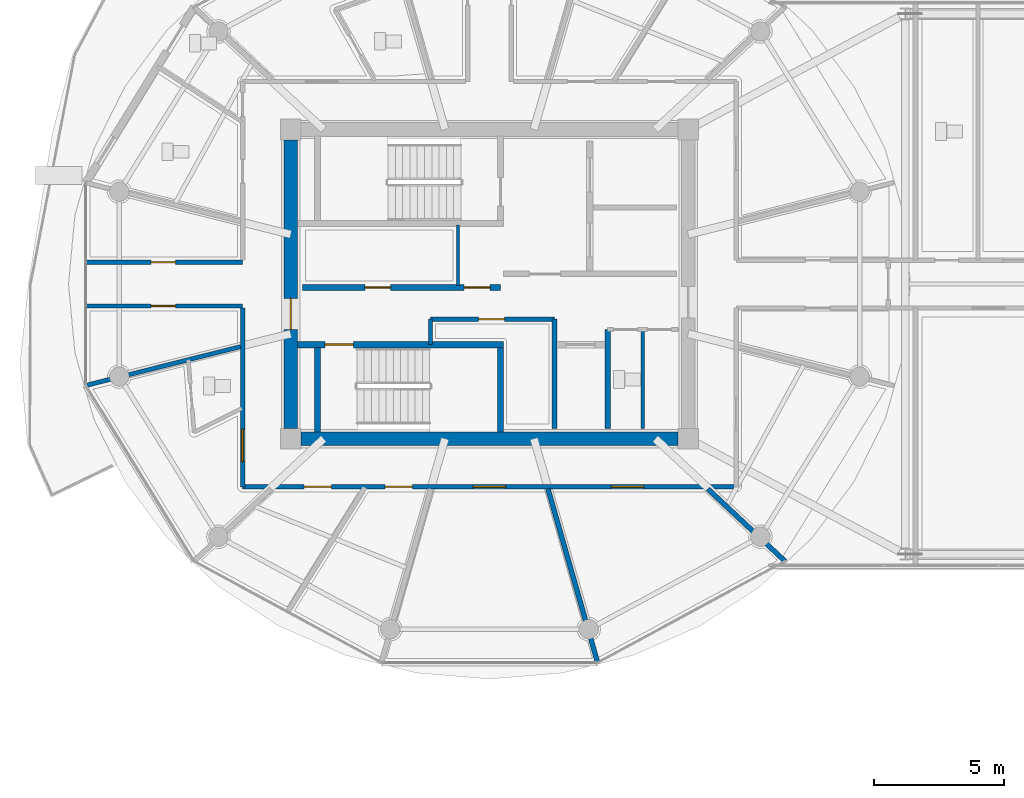
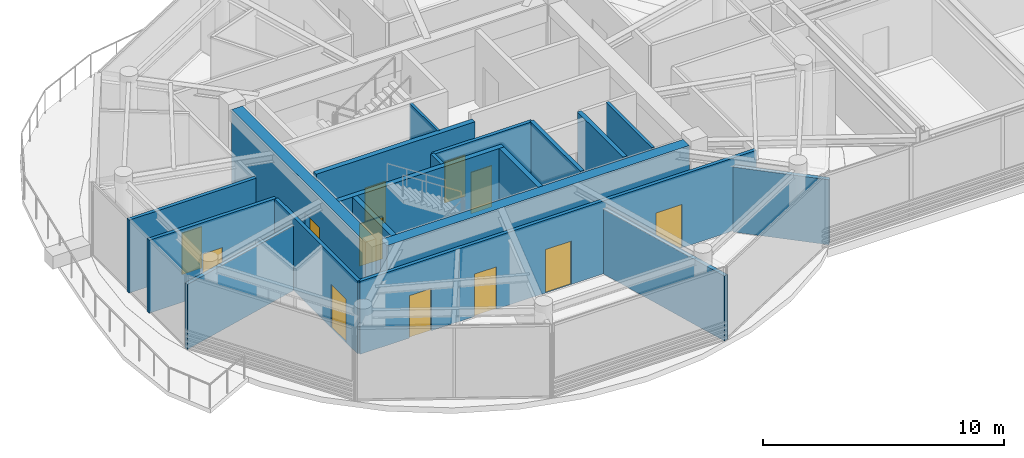
# One storey, part 14 of 31: 19 walls, 12 doors, 12 openings.
"""IFC4 building model written with IfcOpenShell, lengths in metres."""

import ifcopenshell
import ifcopenshell.guid

model = None  # the IFC model being written
_history = None  # IfcOwnerHistory: only IFC2X3 demands one
_inside = {}  # id of a spatial element -> (the spatial element, [elements in it])
_under = {}  # id of a project, library or spatial element -> (it, [spatial elements below it])
_declared = {}  # id of a project -> (the project, [libraries it declares])
_typed = {}  # id of a type object -> (the type object, [elements of that type])
_made_of = {}  # id of a material, layer set ... -> (it, [elements and type objects made of it])


def new_model(schema):
    """Start an empty IFC model of exactly this schema.

    Asked for "IFC4X3", IfcOpenShell would pick the latest addendum, in which some entities
    have other attributes; the version numbers below select the first issue.
    IFC2X3 requires an IfcOwnerHistory on every rooted entity: one is made here for all.
    """
    global model, _history
    if schema == "IFC4X3":
        model = ifcopenshell.file(schema_version=(4, 3, 0, 0))
    else:
        model = ifcopenshell.file(schema=schema)
    _inside.clear()
    _under.clear()
    _declared.clear()
    _typed.clear()
    _made_of.clear()
    _history = None
    if model.schema == "IFC2X3":
        org = make("IfcOrganization", Name="unknown")
        user = make(
            "IfcPersonAndOrganization",
            ThePerson=make("IfcPerson", FamilyName="unknown"),
            TheOrganization=org,
        )
        app = make(
            "IfcApplication",
            ApplicationDeveloper=org,
            Version="unknown",
            ApplicationFullName="unknown",
            ApplicationIdentifier="unknown",
        )
        _history = make(
            "IfcOwnerHistory",
            OwningUser=user,
            OwningApplication=app,
            ChangeAction="ADDED",
            CreationDate=0,
        )
    return model


def make(cls, **values):
    """One entity of the class cls with the attributes given. An attribute that is None is left unset."""
    return model.create_entity(
        cls, **{name: value for name, value in values.items() if value is not None}
    )


def rooted(cls, **values):
    """An entity with a GlobalId (a new one), such as an element, a storey or a relation."""
    return make(cls, GlobalId=ifcopenshell.guid.new(), OwnerHistory=_history, **values)


def si_unit(unit_type, name, prefix=None):
    """IfcSIUnit, for example si_unit("LENGTHUNIT", "METRE", prefix="MILLI")."""
    return make("IfcSIUnit", UnitType=unit_type, Prefix=prefix, Name=name)


def assignment(units):
    """IfcUnitAssignment: the units of a project."""
    return None if units is None else make("IfcUnitAssignment", Units=units)


def point(xyz):
    """IfcCartesianPoint."""
    return None if xyz is None else make("IfcCartesianPoint", Coordinates=xyz)


def direction(xyz):
    """IfcDirection."""
    return None if xyz is None else make("IfcDirection", DirectionRatios=xyz)


def frame(location, z_axis=None, x_axis=None):
    """IfcAxis2Placement3D, a coordinate frame: its origin and axes. An axis left out is left unset."""
    return make(
        "IfcAxis2Placement3D",
        Location=point(location),
        Axis=direction(z_axis),
        RefDirection=direction(x_axis),
    )


def frame_2d(location, x_axis=None):
    """IfcAxis2Placement2D, a coordinate frame in the plane: its origin and x axis."""
    return make(
        "IfcAxis2Placement2D", Location=point(location), RefDirection=direction(x_axis)
    )


def origin():
    """The frame at (0, 0, 0) with its axes left unset."""
    return frame((0.0, 0.0, 0.0))


def place(relative_to, where):
    """IfcLocalPlacement: puts the frame where relative to a parent placement (None: the world)."""
    return make(
        "IfcLocalPlacement", PlacementRelTo=relative_to, RelativePlacement=where
    )


def context(
    kind, dimensions, precision=None, world=None, true_north=None, identifier=None
):
    """IfcGeometricRepresentationContext, for example the 3D "Model" context."""
    return make(
        "IfcGeometricRepresentationContext",
        ContextIdentifier=identifier,
        ContextType=kind,
        CoordinateSpaceDimension=dimensions,
        Precision=precision,
        WorldCoordinateSystem=world,
        TrueNorth=true_north,
    )


def subcontext(parent, identifier, kind, view, scale=None):
    """IfcGeometricRepresentationSubContext, for example "Body" below "Model"."""
    return make(
        "IfcGeometricRepresentationSubContext",
        ContextIdentifier=identifier,
        ContextType=kind,
        ParentContext=parent,
        TargetScale=scale,
        TargetView=view,
    )


def project(units=None, contexts=None):
    """IfcProject with its units and contexts."""
    return rooted(
        "IfcProject",
        Name="project",
        RepresentationContexts=contexts,
        UnitsInContext=assignment(units),
    )


def spatial(cls, under=None, at=None, **own):
    """A site, building, storey or space (cls), placed at a placement, below another one or the project."""
    s = rooted(cls, ObjectPlacement=at, **own)
    if under is not None:
        _under.setdefault(under.id(), (under, []))[1].append(s)
    return s


def profile(cls, at=None, kind="AREA", **sizes):
    """A parametric profile (cls). Its sizes go by their IFC names, for example OverallWidth=200.0."""
    return make(cls, ProfileType=kind, Position=at, **sizes)


def rectangle(**sizes):
    """IfcRectangleProfileDef."""
    return profile("IfcRectangleProfileDef", **sizes)


def extrude(swept, where, along, depth):
    """IfcExtrudedAreaSolid: the profile swept, set in the frame where, extruded along a direction by depth."""
    return make(
        "IfcExtrudedAreaSolid",
        SweptArea=swept,
        Position=where,
        ExtrudedDirection=direction(along),
        Depth=depth,
    )


def shape(context_of_items, identifier, shape_type, items):
    """IfcShapeRepresentation: the items that make up one representation, for example the "Body"."""
    return make(
        "IfcShapeRepresentation",
        ContextOfItems=context_of_items,
        RepresentationIdentifier=identifier,
        RepresentationType=shape_type,
        Items=items,
    )


def source(mapping_origin, context_of_items, identifier, shape_type, items):
    """IfcRepresentationMap: a shape defined once, which mapped items show again and again."""
    return make(
        "IfcRepresentationMap",
        MappingOrigin=mapping_origin,
        MappedRepresentation=shape(context_of_items, identifier, shape_type, items),
    )


def transform(
    local_origin,
    x_axis=None,
    y_axis=None,
    z_axis=None,
    scale=None,
    scale2=None,
    scale3=None,
    uniform=True,
):
    """IfcCartesianTransformationOperator3D, or its non-uniform kind. x_axis, y_axis, z_axis: its Axis1, 2, 3."""
    if uniform:
        return make(
            "IfcCartesianTransformationOperator3D",
            Axis1=direction(x_axis),
            Axis2=direction(y_axis),
            LocalOrigin=point(local_origin),
            Scale=scale,
            Axis3=direction(z_axis),
        )
    return make(
        "IfcCartesianTransformationOperator3DnonUniform",
        Axis1=direction(x_axis),
        Axis2=direction(y_axis),
        LocalOrigin=point(local_origin),
        Scale=scale,
        Axis3=direction(z_axis),
        Scale2=scale2,
        Scale3=scale3,
    )


def mapped(mapping_source, mapping_target):
    """IfcMappedItem: shows the shape of a source again, moved by a transform."""
    return make(
        "IfcMappedItem", MappingSource=mapping_source, MappingTarget=mapping_target
    )


def material(Name=None, Category=None):
    """IfcMaterial."""
    return make("IfcMaterial", Name=Name, Category=Category)


def layer(
    of_material, thickness, ventilated=None, Name=None, Category=None, Priority=None
):
    """IfcMaterialLayer: one layer of a wall or slab, of a material (None: an air gap)."""
    return make(
        "IfcMaterialLayer",
        Material=of_material,
        LayerThickness=thickness,
        IsVentilated=ventilated,
        Name=Name,
        Category=Category,
        Priority=Priority,
    )


def layer_set(layers, Name=None):
    """IfcMaterialLayerSet."""
    return make("IfcMaterialLayerSet", MaterialLayers=layers, LayerSetName=Name)


def made_of(thing, what):
    """Note that an element or type object is made of a material, layer set ...; save() writes the relation."""
    if what is not None:
        _made_of.setdefault(what.id(), (what, []))[1].append(thing)
    return thing


def type_object(cls, material=None, **own):
    """A type object (cls), such as IfcWallType, which elements share."""
    return made_of(rooted(cls, **own), material)


def type_shapes(of_type, sources):
    """Give a type object the sources (RepresentationMaps) that its elements show as mapped items."""
    of_type.RepresentationMaps = sources


def element(
    cls,
    number,
    at=None,
    inside=None,
    cuts=None,
    type_object=None,
    material=None,
    context=None,
    identifier="Body",
    shape_type=None,
    held_by="IfcProductDefinitionShape",
    body=None,
    shapes=None,
    **own,
):
    """One element of the class cls, such as IfcWall. Its Tag is "e" and its number.

    at: its placement. inside: the storey or other place that contains it. cuts: it is an
    opening in that element (IfcRelVoidsElement). A single representation is given by context,
    identifier, shape_type and body (its items); several are given by shapes. held_by: the class
    of the entity that holds the representations. save() writes the other relations.
    """
    e = rooted(cls, Tag="e%d" % number, ObjectPlacement=at, **own)
    if body is not None:
        shapes = [shape(context, identifier, shape_type, body)]
    if shapes is not None:
        e.Representation = make(held_by, Representations=shapes)
    if inside is not None:
        _inside.setdefault(inside.id(), (inside, []))[1].append(e)
    if cuts is not None:
        rooted(
            "IfcRelVoidsElement", RelatingBuildingElement=cuts, RelatedOpeningElement=e
        )
    if type_object is not None:
        _typed.setdefault(type_object.id(), (type_object, []))[1].append(e)
    return made_of(e, material)


def fill(opening, filler):
    """IfcRelFillsElement: the door or window that sits in an opening."""
    return rooted(
        "IfcRelFillsElement",
        RelatingOpeningElement=opening,
        RelatedBuildingElement=filler,
    )


def aggregate(whole, parts):
    """IfcRelAggregates: a whole, such as a stair, and the parts it consists of."""
    return rooted("IfcRelAggregates", RelatingObject=whole, RelatedObjects=parts)


def save(model, path):
    """Write the relations noted so far, then the file.

    IfcRelAggregates (storeys below a building ...), IfcRelContainedInSpatialStructure (elements
    in a storey), IfcRelDefinesByType, IfcRelAssociatesMaterial and IfcRelDeclares: one each for
    every whole, place, type object, material and project.
    """
    for whole, parts in _under.values():
        aggregate(whole, parts)
    for where, things in _inside.values():
        rooted(
            "IfcRelContainedInSpatialStructure",
            RelatedElements=things,
            RelatingStructure=where,
        )
    for kind, things in _typed.values():
        rooted("IfcRelDefinesByType", RelatedObjects=things, RelatingType=kind)
    for what, things in _made_of.values():
        rooted("IfcRelAssociatesMaterial", RelatedObjects=things, RelatingMaterial=what)
    for by, libraries in _declared.values():
        rooted("IfcRelDeclares", RelatingContext=by, RelatedDefinitions=libraries)
    model.write(path)


model = new_model("IFC4")

# Units and contexts
model_context = context("Model", 3, precision=1e-05, world=origin(), true_north=direction((0.0, 1.0)))
body_context = subcontext(model_context, "Body", "Model", "MODEL_VIEW")
ifc_project = project(units=[si_unit("LENGTHUNIT", "METRE"), si_unit("AREAUNIT", "SQUARE_METRE"), si_unit("VOLUMEUNIT", "CUBIC_METRE"), si_unit("PLANEANGLEUNIT", "RADIAN"), si_unit("MASSUNIT", "GRAM", prefix="KILO")], contexts=[model_context])

# Site, building, storey
site_placement = place(None, origin())
site = spatial("IfcSite", under=ifc_project, at=site_placement, CompositionType="ELEMENT")
building_placement = place(site_placement, origin())
building = spatial("IfcBuilding", under=site, at=building_placement, Name="Norrkilde Senior Care Towers", CompositionType="ELEMENT")
storey_placement = place(building_placement, frame((0.0, 0.0, 199.800048828125)))
storey = spatial("IfcBuildingStorey", under=building, at=storey_placement, Name="L62", CompositionType="ELEMENT", Elevation=199.800048828125)

# Wall
ifc_material_1 = material(Name="Concrete C50/60", Category="concrete")
ifc_layer_1 = layer(ifc_material_1, 0.52001953125)
ifc_layer_set_1 = layer_set([ifc_layer_1], Name="Concrete C50/60")
wall_type_1 = type_object("IfcWallType", Name="Core Shear Wall Z4 520", PredefinedType="SHEAR", material=ifc_layer_set_1)
shared_shape_1 = source(origin(), body_context, "Body", "SweptSolid", [
    extrude(rectangle(XDim=14.5, YDim=0.52001953125, at=frame_2d((7.25, 0.0))), origin(), (0.0, 0.0, 1.0), 3.7099609375),
])
wall_1_placement = place(storey_placement, frame((-20.75, -5.949951171875, 0.0), z_axis=(0.0, 0.0, 1.0), x_axis=(-1.0, 0.0, 0.0)))
element("IfcWall", 1, at=wall_1_placement, inside=storey, type_object=wall_type_1, Name="L62 Core W South Shear Wall", PredefinedType="SHEAR", context=body_context, shape_type="MappedRepresentation", body=[
    mapped(shared_shape_1, transform((0.0, 0.0, 0.0), x_axis=(1.0, 0.0, 0.0), y_axis=(0.0, 1.0, 0.0), z_axis=(0.0, 0.0, 1.0), scale=1.0)),
])

# Wall, opening, door
shared_shape_2 = source(origin(), body_context, "Body", "SweptSolid", [
    extrude(rectangle(XDim=11.10009765625, YDim=0.52001953125, at=frame_2d((5.550048828125, 0.0))), origin(), (0.0, 0.0, 1.0), 3.7099609375),
])
type_shapes(wall_type_1, [shared_shape_1, shared_shape_2])
wall_2_placement = place(storey_placement, frame((-35.64990234375, -5.550048828125, 0.0), z_axis=(0.0, 0.0, 1.0), x_axis=(0.0, 1.0, 0.0)))
wall_2 = element("IfcWall", 2, at=wall_2_placement, inside=storey, type_object=wall_type_1, Name="L62 Core W West Shear Wall", PredefinedType="SHEAR", context=body_context, shape_type="MappedRepresentation", body=[
    mapped(shared_shape_2, transform((0.0, 0.0, 0.0), x_axis=(1.0, 0.0, 0.0), y_axis=(0.0, 1.0, 0.0), z_axis=(0.0, 0.0, 1.0), scale=1.0)),
])
opening_1_placement = place(wall_2_placement, frame((3.800048828125, 0.0, 0.0)))
opening_1 = element("IfcOpeningElement", 3, at=opening_1_placement, cuts=wall_2, Name="Opening D-04", PredefinedType="OPENING", context=body_context, shape_type="SweptSolid", body=[
    extrude(rectangle(XDim=1.199951171875, YDim=2.14990234375, at=frame_2d((0.60009765625, 1.074951171875))), frame((0.0, 0.27001953125, 0.0), z_axis=(0.0, -1.0, 0.0), x_axis=(1.0, 0.0, 0.0)), (0.0, 0.0, 1.0), 0.5400390625),
])
ifc_material_2 = material(Name="Galvanised Painted Steel", Category="steel")
door_type_1 = type_object("IfcDoorType", Name="Firefighting Lobby Fire Door 1200x2150", OperationType="NOTDEFINED", PredefinedType="DOOR", material=ifc_material_2)
shared_shape_3 = source(origin(), body_context, "Body", "SweptSolid", [
    extrude(rectangle(XDim=1.199951171875, YDim=2.14990234375, at=frame_2d((0.60009765625, 1.074951171875))), frame((0.0, 0.02490234375, 0.0), z_axis=(0.0, -1.0, 0.0), x_axis=(1.0, 0.0, 0.0)), (0.0, 0.0, 1.0), 0.050048828125),
])
type_shapes(door_type_1, [shared_shape_3])
door_1_placement = place(opening_1_placement, frame((1.199951171875, 0.0, 0.0), z_axis=(0.0, 0.0, 1.0), x_axis=(-1.0, 0.0, 0.0)))
door_1 = element("IfcDoor", 4, at=door_1_placement, inside=storey, type_object=door_type_1, Name="L62 Core W West Portal Door", OperationType="SINGLE_SWING_LEFT", OverallHeight=2.14990234375, OverallWidth=1.199951171875, PredefinedType="DOOR", context=body_context, shape_type="MappedRepresentation", body=[
    mapped(shared_shape_3, transform((0.0, 0.0, 0.0), x_axis=(1.0, 0.0, 0.0), y_axis=(0.0, 1.0, 0.0), z_axis=(0.0, 0.0, 1.0), scale=1.0)),
])
fill(opening_1, door_1)

ifc_material_3 = material(Name="Concrete C45/55", Category="concrete")
ifc_layer_2 = layer(ifc_material_3, 0.239990234375)
ifc_layer_set_2 = layer_set([ifc_layer_2], Name="Concrete C45/55")
wall_type_2 = type_object("IfcWallType", Name="Shaft and Stair Enclosure Wall 240", PredefinedType="PARTITIONING", material=ifc_layer_set_2)
shared_shape_4 = source(origin(), body_context, "Body", "SweptSolid", [
    extrude(rectangle(XDim=7.929931640625, YDim=0.239990234375, at=frame_2d((3.96484375, 0.0))), origin(), (0.0, 0.0, 1.0), 3.7099609375),
])
wall_3_placement = place(storey_placement, frame((-35.389892578125, -2.330078125, 0.0), z_axis=(0.0, 0.0, 1.0), x_axis=(1.0, 0.0, 0.0)))
wall_3 = element("IfcWall", 5, at=wall_3_placement, inside=storey, type_object=wall_type_2, Name="WL-INT-L62-W-ST2N", PredefinedType="PARTITIONING", context=body_context, shape_type="MappedRepresentation", body=[
    mapped(shared_shape_4, transform((0.0, 0.0, 0.0), x_axis=(1.0, 0.0, 0.0), y_axis=(0.0, 1.0, 0.0), z_axis=(0.0, 0.0, 1.0), scale=1.0)),
])
opening_2_placement = place(wall_3_placement, frame((1.050048828125, 0.0, 0.0)))
opening_2 = element("IfcOpeningElement", 6, at=opening_2_placement, cuts=wall_3, Name="Opening D-03", PredefinedType="OPENING", context=body_context, shape_type="SweptSolid", body=[
    extrude(rectangle(XDim=1.10009765625, YDim=2.14990234375, at=frame_2d((0.550048828125, 1.074951171875))), frame((0.0, 0.1298828125, 0.0), z_axis=(0.0, -1.0, 0.0), x_axis=(1.0, 0.0, 0.0)), (0.0, 0.0, 1.0), 0.260009765625),
])
door_type_2 = type_object("IfcDoorType", Name="Stairwell Protected Fire Door 1100x2150", OperationType="NOTDEFINED", PredefinedType="DOOR", material=ifc_material_2)
shared_shape_5 = source(origin(), body_context, "Body", "SweptSolid", [
    extrude(rectangle(XDim=1.10009765625, YDim=2.14990234375, at=frame_2d((0.550048828125, 1.074951171875))), frame((0.0, 0.02490234375, 0.0), z_axis=(0.0, -1.0, 0.0), x_axis=(1.0, 0.0, 0.0)), (0.0, 0.0, 1.0), 0.050048828125),
])
type_shapes(door_type_2, [shared_shape_5])
door_2_placement = place(opening_2_placement, frame((1.10009765625, 0.0, 0.0), z_axis=(0.0, 0.0, 1.0), x_axis=(-1.0, 0.0, 0.0)))
door_2 = element("IfcDoor", 7, at=door_2_placement, inside=storey, type_object=door_type_2, Name="L62 Stair W2 Fire Door", OperationType="SINGLE_SWING_RIGHT", OverallHeight=2.14990234375, OverallWidth=1.10009765625, PredefinedType="DOOR", context=body_context, shape_type="MappedRepresentation", body=[
    mapped(shared_shape_5, transform((0.0, 0.0, 0.0), x_axis=(1.0, 0.0, 0.0), y_axis=(0.0, 1.0, 0.0), z_axis=(0.0, 0.0, 1.0), scale=1.0)),
])
fill(opening_2, door_2)

# Walls
shared_shape_6 = source(origin(), body_context, "Body", "SweptSolid", [
    extrude(rectangle(XDim=3.239990234375, YDim=0.239990234375, at=frame_2d((1.6201171875, 0.0))), origin(), (0.0, 0.0, 1.0), 3.7099609375),
])
type_shapes(wall_type_2, [shared_shape_4, shared_shape_6])
for number, where, z_axis, x_axis, name in (
    (8, (-34.6201171875, -5.68994140625, 0.0), (0.0, 0.0, 1.0), (0.0, 1.0, 0.0), "WL-INT-L62-W-ST2W"),
    (9, (-27.580078125, -5.68994140625, 0.0), (0.0, 0.0, 1.0), (0.0, 1.0, 0.0), "WL-INT-L62-W-ST2E"),
):
    element("IfcWall", number, at=place(storey_placement, frame(where, z_axis=z_axis, x_axis=x_axis)), inside=storey, type_object=wall_type_2, Name=name, PredefinedType="PARTITIONING", context=body_context, shape_type="MappedRepresentation", body=[
        mapped(shared_shape_6, transform((0.0, 0.0, 0.0), x_axis=(1.0, 0.0, 0.0), y_axis=(0.0, 1.0, 0.0), z_axis=(0.0, 0.0, 1.0), scale=1.0)),
    ])

# Wall, openings, doors
ifc_layer_3 = layer(ifc_material_3, 0.239990234375)
ifc_layer_set_3 = layer_set([ifc_layer_3], Name="Concrete C45/55")
wall_type_3 = type_object("IfcWallType", Name="Lift and Plant Rated Enclosure Partition 240", PredefinedType="PARTITIONING", material=ifc_layer_set_3)
shared_shape_7 = source(origin(), body_context, "Body", "SweptSolid", [
    extrude(rectangle(XDim=7.619873046875, YDim=0.239990234375, at=frame_2d((3.81005859375, 0.0))), origin(), (0.0, 0.0, 1.0), 3.695068359375),
])
type_shapes(wall_type_3, [shared_shape_7])
wall_4_placement = place(storey_placement, frame((-35.199951171875, -0.1298828125, 0.0), z_axis=(0.0, 0.0, 1.0), x_axis=(1.0, 0.0, 0.0)))
wall_4 = element("IfcWall", 10, at=wall_4_placement, inside=storey, type_object=wall_type_3, Name="WL-INT-L62-W-PKAS", PredefinedType="PARTITIONING", context=body_context, shape_type="MappedRepresentation", body=[
    mapped(shared_shape_7, transform((0.0, 0.0, 0.0), x_axis=(1.0, 0.0, 0.0), y_axis=(0.0, 1.0, 0.0), z_axis=(0.0, 0.0, 1.0), scale=1.0)),
])
opening_3_placement = place(wall_4_placement, frame((6.219970703125, 0.0, 0.0)))
opening_3 = element("IfcOpeningElement", 11, at=opening_3_placement, cuts=wall_4, Name="Opening D-10", PredefinedType="OPENING", context=body_context, shape_type="SweptSolid", body=[
    extrude(rectangle(XDim=1.0, YDim=2.10009765625, at=frame_2d((0.5, 1.050048828125))), frame((0.0, 0.1298828125, 0.0), z_axis=(0.0, -1.0, 0.0), x_axis=(1.0, 0.0, 0.0)), (0.0, 0.0, 1.0), 0.260009765625),
])
opening_4_placement = place(wall_4_placement, frame((2.39990234375, 0.0, 0.0)))
opening_4 = element("IfcOpeningElement", 12, at=opening_4_placement, cuts=wall_4, Name="Opening D-10", PredefinedType="OPENING", context=body_context, shape_type="SweptSolid", body=[
    extrude(rectangle(XDim=1.0, YDim=2.10009765625, at=frame_2d((0.5, 1.050048828125))), frame((0.0, 0.1298828125, 0.0), z_axis=(0.0, -1.0, 0.0), x_axis=(1.0, 0.0, 0.0)), (0.0, 0.0, 1.0), 0.260009765625),
])
door_type_3 = type_object("IfcDoorType", Name="Plant and Riser Rated Door 1000x2100", OperationType="NOTDEFINED", PredefinedType="DOOR", material=ifc_material_2)
shared_shape_8 = source(origin(), body_context, "Body", "SweptSolid", [
    extrude(rectangle(XDim=1.0, YDim=2.10009765625, at=frame_2d((0.5, 1.050048828125))), frame((0.0, 0.02490234375, 0.0), z_axis=(0.0, -1.0, 0.0), x_axis=(1.0, 0.0, 0.0)), (0.0, 0.0, 1.0), 0.050048828125),
])
type_shapes(door_type_3, [shared_shape_8])
door_3_placement = place(opening_3_placement, frame((1.0, 0.0, 0.0), z_axis=(0.0, 0.0, 1.0), x_axis=(-1.0, 0.0, 0.0)))
door_3 = element("IfcDoor", 13, at=door_3_placement, inside=storey, type_object=door_type_3, Name="L62 Electrical Riser W Door", OperationType="SINGLE_SWING_LEFT", OverallHeight=2.10009765625, OverallWidth=1.0, PredefinedType="DOOR", context=body_context, shape_type="MappedRepresentation", body=[
    mapped(shared_shape_8, transform((0.0, 0.0, 0.0), x_axis=(1.0, 0.0, 0.0), y_axis=(0.0, 1.0, 0.0), z_axis=(0.0, 0.0, 1.0), scale=1.0)),
])
fill(opening_3, door_3)
door_4_placement = place(opening_4_placement, frame((1.0, 0.0, 0.0), z_axis=(0.0, 0.0, 1.0), x_axis=(-1.0, 0.0, 0.0)))
door_4 = element("IfcDoor", 14, at=door_4_placement, inside=storey, type_object=door_type_3, Name="L62 Clean Supply Store W Door", OperationType="SINGLE_SWING_LEFT", OverallHeight=2.10009765625, OverallWidth=1.0, PredefinedType="DOOR", context=body_context, shape_type="MappedRepresentation", body=[
    mapped(shared_shape_8, transform((0.0, 0.0, 0.0), x_axis=(1.0, 0.0, 0.0), y_axis=(0.0, 1.0, 0.0), z_axis=(0.0, 0.0, 1.0), scale=1.0)),
])
fill(opening_4, door_4)

# Walls
ifc_material_4 = material(Name="Gypsum Acoustic Board")
ifc_layer_4 = layer(ifc_material_4, 0.114990234375)
ifc_layer_set_4 = layer_set([ifc_layer_4], Name="Gypsum Acoustic Board")
wall_type_4 = type_object("IfcWallType", Name="Internal Room Partition 115", PredefinedType="PARTITIONING", material=ifc_layer_set_4)
shared_shape_9 = source(origin(), body_context, "Body", "SweptSolid", [
    extrude(rectangle(XDim=2.330078125, YDim=0.114990234375, at=frame_2d((1.1650390625, 0.0))), origin(), (0.0, 0.0, 1.0), 3.695068359375),
])
type_shapes(wall_type_4, [shared_shape_9])
wall_5_placement = place(storey_placement, frame((-29.2099609375, -0.050048828125, 0.0), z_axis=(0.0, 0.0, 1.0), x_axis=(0.0, 1.0, 0.0)))
element("IfcWall", 15, at=wall_5_placement, inside=storey, type_object=wall_type_4, Name="WL-INT-L62-W-RISW", PredefinedType="PARTITIONING", context=body_context, shape_type="MappedRepresentation", body=[
    mapped(shared_shape_9, transform((0.0, 0.0, 0.0), x_axis=(1.0, 0.0, 0.0), y_axis=(0.0, 1.0, 0.0), z_axis=(0.0, 0.0, 1.0), scale=1.0)),
])
ifc_layer_5 = layer(ifc_material_3, 0.199951171875)
ifc_layer_set_5 = layer_set([ifc_layer_5], Name="Concrete C45/55")
wall_type_5 = type_object("IfcWallType", Name="Shaft Division and Plant Partition 200", PredefinedType="PARTITIONING", material=ifc_layer_set_5)
shared_shape_10 = source(origin(), body_context, "Body", "SweptSolid", [
    extrude(rectangle(XDim=3.800048828125, YDim=0.199951171875, at=frame_2d((1.89990234375, 0.0))), origin(), (0.0, 0.0, 1.0), 3.695068359375),
])
type_shapes(wall_type_5, [shared_shape_10])
wall_6_placement = place(storey_placement, frame((-23.449951171875, -5.550048828125, 0.0), z_axis=(0.0, 0.0, 1.0), x_axis=(0.0, 1.0, 0.0)))
element("IfcWall", 16, at=wall_6_placement, inside=storey, type_object=wall_type_5, Name="WL-INT-L62-W-PKBE", PredefinedType="PARTITIONING", context=body_context, shape_type="MappedRepresentation", body=[
    mapped(shared_shape_10, transform((0.0, 0.0, 0.0), x_axis=(1.0, 0.0, 0.0), y_axis=(0.0, 1.0, 0.0), z_axis=(0.0, 0.0, 1.0), scale=1.0)),
])
ifc_layer_6 = layer(ifc_material_3, 0.179931640625)
ifc_layer_set_6 = layer_set([ifc_layer_6], Name="Concrete C45/55")
wall_type_6 = type_object("IfcWallType", Name="Hoistway Division Rated Partition 180", PredefinedType="PARTITIONING", material=ifc_layer_set_6)
shared_shape_11 = source(origin(), body_context, "Body", "SweptSolid", [
    extrude(rectangle(XDim=4.199951171875, YDim=0.179931640625, at=frame_2d((2.10009765625, 0.0))), origin(), (0.0, 0.0, 1.0), 3.695068359375),
])
type_shapes(wall_type_6, [shared_shape_11])
wall_7_placement = place(storey_placement, frame((-25.5, -5.550048828125, 0.0), z_axis=(0.0, 0.0, 1.0), x_axis=(0.0, 1.0, 0.0)))
element("IfcWall", 17, at=wall_7_placement, inside=storey, type_object=wall_type_6, Name="WL-INT-L62-W-PL4W", PredefinedType="PARTITIONING", context=body_context, shape_type="MappedRepresentation", body=[
    mapped(shared_shape_11, transform((0.0, 0.0, 0.0), x_axis=(1.0, 0.0, 0.0), y_axis=(0.0, 1.0, 0.0), z_axis=(0.0, 0.0, 1.0), scale=1.0)),
])

# Wall, opening, door
ifc_layer_7 = layer(ifc_material_4, 0.1650390625)
ifc_layer_set_7 = layer_set([ifc_layer_7], Name="Gypsum Acoustic Board")
wall_type_7 = type_object("IfcWallType", Name="Corridor Rated Partition 165", PredefinedType="PARTITIONING", material=ifc_layer_set_7)
shared_shape_12 = source(origin(), body_context, "Body", "SweptSolid", [
    extrude(rectangle(XDim=4.77001953125, YDim=0.1650390625, at=frame_2d((2.385009765625, 0.0))), origin(), (0.0, 0.0, 1.0), 3.695068359375),
])
wall_8_placement = place(storey_placement, frame((-30.27001953125, -1.35009765625, 0.0), z_axis=(0.0, 0.0, 1.0), x_axis=(1.0, 0.0, 0.0)))
wall_8 = element("IfcWall", 18, at=wall_8_placement, inside=storey, type_object=wall_type_7, Name="WL-INT-L62-W-FR2N", PredefinedType="PARTITIONING", context=body_context, shape_type="MappedRepresentation", body=[
    mapped(shared_shape_12, transform((0.0, 0.0, 0.0), x_axis=(1.0, 0.0, 0.0), y_axis=(0.0, 1.0, 0.0), z_axis=(0.0, 0.0, 1.0), scale=1.0)),
])
opening_5_placement = place(wall_8_placement, frame((1.85009765625, 0.0, 0.0)))
opening_5 = element("IfcOpeningElement", 19, at=opening_5_placement, cuts=wall_8, Name="Opening D-10", PredefinedType="OPENING", context=body_context, shape_type="SweptSolid", body=[
    extrude(rectangle(XDim=1.0, YDim=2.10009765625, at=frame_2d((0.5, 1.050048828125))), frame((0.0, 0.092529296875, 0.0), z_axis=(0.0, -1.0, 0.0), x_axis=(1.0, 0.0, 0.0)), (0.0, 0.0, 1.0), 0.18505859375),
])
door_5_placement = place(opening_5_placement, origin())
door_5 = element("IfcDoor", 20, at=door_5_placement, inside=storey, type_object=door_type_3, Name="L62 Core Pantry W Door", OperationType="SINGLE_SWING_RIGHT", OverallHeight=2.10009765625, OverallWidth=1.0, PredefinedType="DOOR", context=body_context, shape_type="MappedRepresentation", body=[
    mapped(shared_shape_8, transform((0.0, 0.0, 0.0), x_axis=(1.0, 0.0, 0.0), y_axis=(0.0, 1.0, 0.0), z_axis=(0.0, 0.0, 1.0), scale=1.0)),
])
fill(opening_5, door_5)

# Walls
shared_shape_13 = source(origin(), body_context, "Body", "SweptSolid", [
    extrude(rectangle(XDim=0.97998046875, YDim=0.1650390625, at=frame_2d((0.489990234375, 0.0))), origin(), (0.0, 0.0, 1.0), 3.695068359375),
])
wall_9_placement = place(storey_placement, frame((-30.27001953125, -2.330078125, 0.0), z_axis=(0.0, 0.0, 1.0), x_axis=(0.0, 1.0, 0.0)))
element("IfcWall", 21, at=wall_9_placement, inside=storey, type_object=wall_type_7, Name="WL-INT-L62-W-FR2W", PredefinedType="PARTITIONING", context=body_context, shape_type="MappedRepresentation", body=[
    mapped(shared_shape_13, transform((0.0, 0.0, 0.0), x_axis=(1.0, 0.0, 0.0), y_axis=(0.0, 1.0, 0.0), z_axis=(0.0, 0.0, 1.0), scale=1.0)),
])
ifc_layer_8 = layer(ifc_material_4, 0.139892578125)
ifc_layer_set_8 = layer_set([ifc_layer_8], Name="Gypsum Acoustic Board")
wall_type_8 = type_object("IfcWallType", Name="En-suite Wet Room Wall 140", PredefinedType="PARTITIONING", material=ifc_layer_set_8)
shared_shape_14 = source(origin(), body_context, "Body", "SweptSolid", [
    extrude(rectangle(XDim=3.800048828125, YDim=0.139892578125, at=frame_2d((1.89990234375, 0.0))), origin(), (0.0, 0.0, 1.0), 3.695068359375),
])
type_shapes(wall_type_8, [shared_shape_14])
wall_10_placement = place(storey_placement, frame((-22.10009765625, -5.550048828125, 0.0), z_axis=(0.0, 0.0, 1.0), x_axis=(0.0, 1.0, 0.0)))
element("IfcWall", 22, at=wall_10_placement, inside=storey, type_object=wall_type_8, Name="WL-INT-L62-W-CS1V", PredefinedType="PARTITIONING", context=body_context, shape_type="MappedRepresentation", body=[
    mapped(shared_shape_14, transform((0.0, 0.0, 0.0), x_axis=(1.0, 0.0, 0.0), y_axis=(0.0, 1.0, 0.0), z_axis=(0.0, 0.0, 1.0), scale=1.0)),
])

# Wall, openings, doors
shared_shape_15 = source(origin(), body_context, "Body", "SweptSolid", [
    extrude(rectangle(XDim=19.0, YDim=0.1650390625, at=frame_2d((9.5, 0.0))), origin(), (0.0, 0.0, 1.0), 3.695068359375),
])
wall_11_placement = place(storey_placement, frame((-18.5, -7.800048828125, 0.0), z_axis=(0.0, 0.0, 1.0), x_axis=(-1.0, 0.0, 0.0)))
wall_11 = element("IfcWall", 23, at=wall_11_placement, inside=storey, type_object=wall_type_7, Name="WL-INT-L62-W-CRW-S-0", PredefinedType="PARTITIONING", context=body_context, shape_type="MappedRepresentation", body=[
    mapped(shared_shape_15, transform((0.0, 0.0, 0.0), x_axis=(1.0, 0.0, 0.0), y_axis=(0.0, 1.0, 0.0), z_axis=(0.0, 0.0, 1.0), scale=1.0)),
])
opening_6_placement = place(wall_11_placement, frame((15.586181640625, 0.0, 0.0)))
opening_6 = element("IfcOpeningElement", 24, at=opening_6_placement, cuts=wall_11, Name="Opening D-06", PredefinedType="OPENING", context=body_context, shape_type="SweptSolid", body=[
    extrude(rectangle(XDim=1.050048828125, YDim=2.14990234375, at=frame_2d((0.52490234375, 1.074951171875))), frame((0.0, 0.092529296875, 0.0), z_axis=(0.0, -1.0, 0.0), x_axis=(1.0, 0.0, 0.0)), (0.0, 0.0, 1.0), 0.18505859375),
])
opening_7_placement = place(wall_11_placement, frame((12.465087890625, 0.0, 0.0)))
opening_7 = element("IfcOpeningElement", 25, at=opening_7_placement, cuts=wall_11, Name="Opening D-06", PredefinedType="OPENING", context=body_context, shape_type="SweptSolid", body=[
    extrude(rectangle(XDim=1.050048828125, YDim=2.14990234375, at=frame_2d((0.52490234375, 1.074951171875))), frame((0.0, 0.092529296875, 0.0), z_axis=(0.0, -1.0, 0.0), x_axis=(1.0, 0.0, 0.0)), (0.0, 0.0, 1.0), 0.18505859375),
])
opening_8_placement = place(wall_11_placement, frame((8.875, 0.0, 0.0)))
opening_8 = element("IfcOpeningElement", 26, at=opening_8_placement, cuts=wall_11, Name="Opening D-05", PredefinedType="OPENING", context=body_context, shape_type="SweptSolid", body=[
    extrude(rectangle(XDim=1.25, YDim=2.199951171875, at=frame_2d((0.625, 1.10009765625))), frame((0.0, 0.092529296875, 0.0), z_axis=(0.0, -1.0, 0.0), x_axis=(1.0, 0.0, 0.0)), (0.0, 0.0, 1.0), 0.18505859375),
])
opening_9_placement = place(wall_11_placement, frame((3.55859375, 0.0, 0.0)))
opening_9 = element("IfcOpeningElement", 27, at=opening_9_placement, cuts=wall_11, Name="Opening D-05", PredefinedType="OPENING", context=body_context, shape_type="SweptSolid", body=[
    extrude(rectangle(XDim=1.25, YDim=2.199951171875, at=frame_2d((0.625, 1.10009765625))), frame((0.0, 0.092529296875, 0.0), z_axis=(0.0, -1.0, 0.0), x_axis=(1.0, 0.0, 0.0)), (0.0, 0.0, 1.0), 0.18505859375),
])
ifc_material_5 = material(Name="Nordic Ash Timber", Category="wood")
door_type_4 = type_object("IfcDoorType", Name="Care Bedroom Bariatric Door 1250x2200", OperationType="NOTDEFINED", PredefinedType="DOOR", material=ifc_material_5)
shared_shape_16 = source(origin(), body_context, "Body", "SweptSolid", [
    extrude(rectangle(XDim=1.25, YDim=2.199951171875, at=frame_2d((0.625, 1.10009765625))), frame((0.0, 0.02490234375, 0.0), z_axis=(0.0, -1.0, 0.0), x_axis=(1.0, 0.0, 0.0)), (0.0, 0.0, 1.0), 0.050048828125),
])
type_shapes(door_type_4, [shared_shape_16])
door_6_placement = place(opening_8_placement, frame((1.25, 0.0, 0.0), z_axis=(0.0, 0.0, 1.0), x_axis=(-1.0, 0.0, 0.0)))
door_6 = element("IfcDoor", 28, at=door_6_placement, inside=storey, type_object=door_type_4, Name="L62 Household Communal Dining Salon Door", OperationType="SINGLE_SWING_LEFT", OverallHeight=2.199951171875, OverallWidth=1.25, PredefinedType="DOOR", context=body_context, shape_type="MappedRepresentation", body=[
    mapped(shared_shape_16, transform((0.0, 0.0, 0.0), x_axis=(1.0, 0.0, 0.0), y_axis=(0.0, 1.0, 0.0), z_axis=(0.0, 0.0, 1.0), scale=1.0)),
])
fill(opening_8, door_6)
door_7_placement = place(opening_9_placement, frame((1.25, 0.0, 0.0), z_axis=(0.0, 0.0, 1.0), x_axis=(-1.0, 0.0, 0.0)))
door_7 = element("IfcDoor", 29, at=door_7_placement, inside=storey, type_object=door_type_4, Name="L62 Household Therapeutic Kitchen Door", OperationType="SINGLE_SWING_RIGHT", OverallHeight=2.199951171875, OverallWidth=1.25, PredefinedType="DOOR", context=body_context, shape_type="MappedRepresentation", body=[
    mapped(shared_shape_16, transform((0.0, 0.0, 0.0), x_axis=(1.0, 0.0, 0.0), y_axis=(0.0, 1.0, 0.0), z_axis=(0.0, 0.0, 1.0), scale=1.0)),
])
fill(opening_9, door_7)
door_type_5 = type_object("IfcDoorType", Name="Apartment Entrance Fire Door 1050x2150", OperationType="NOTDEFINED", PredefinedType="DOOR", material=ifc_material_5)
shared_shape_17 = source(origin(), body_context, "Body", "SweptSolid", [
    extrude(rectangle(XDim=1.050048828125, YDim=2.14990234375, at=frame_2d((0.52490234375, 1.074951171875))), frame((0.0, 0.02490234375, 0.0), z_axis=(0.0, -1.0, 0.0), x_axis=(1.0, 0.0, 0.0)), (0.0, 0.0, 1.0), 0.050048828125),
])
type_shapes(door_type_5, [shared_shape_17])
door_8_placement = place(opening_6_placement, frame((1.050048828125, 0.0, 0.0), z_axis=(0.0, 0.0, 1.0), x_axis=(-1.0, 0.0, 0.0)))
door_8 = element("IfcDoor", 30, at=door_8_placement, inside=storey, type_object=door_type_5, Name="L62 Physiotherapy Clinic 7A Door", OperationType="SINGLE_SWING_RIGHT", OverallHeight=2.14990234375, OverallWidth=1.050048828125, PredefinedType="DOOR", context=body_context, shape_type="MappedRepresentation", body=[
    mapped(shared_shape_17, transform((0.0, 0.0, 0.0), x_axis=(1.0, 0.0, 0.0), y_axis=(0.0, 1.0, 0.0), z_axis=(0.0, 0.0, 1.0), scale=1.0)),
])
fill(opening_6, door_8)
door_9_placement = place(opening_7_placement, frame((1.050048828125, 0.0, 0.0), z_axis=(0.0, 0.0, 1.0), x_axis=(-1.0, 0.0, 0.0)))
door_9 = element("IfcDoor", 31, at=door_9_placement, inside=storey, type_object=door_type_5, Name="L62 Assessment Clinic 7B Door", OperationType="SINGLE_SWING_LEFT", OverallHeight=2.14990234375, OverallWidth=1.050048828125, PredefinedType="DOOR", context=body_context, shape_type="MappedRepresentation", body=[
    mapped(shared_shape_17, transform((0.0, 0.0, 0.0), x_axis=(1.0, 0.0, 0.0), y_axis=(0.0, 1.0, 0.0), z_axis=(0.0, 0.0, 1.0), scale=1.0)),
])
fill(opening_7, door_9)

# Wall, opening, door
shared_shape_18 = source(origin(), body_context, "Body", "SweptSolid", [
    extrude(rectangle(XDim=6.880126953125, YDim=0.1650390625, at=frame_2d((3.43994140625, 0.0))), origin(), (0.0, 0.0, 1.0), 3.695068359375),
])
wall_12_placement = place(storey_placement, frame((-37.5, -7.800048828125, 0.0), z_axis=(0.0, 0.0, 1.0), x_axis=(0.0, 1.0, 0.0)))
wall_12 = element("IfcWall", 32, at=wall_12_placement, inside=storey, type_object=wall_type_7, Name="WL-INT-L62-W-CRW-W-0", PredefinedType="PARTITIONING", context=body_context, shape_type="MappedRepresentation", body=[
    mapped(shared_shape_18, transform((0.0, 0.0, 0.0), x_axis=(1.0, 0.0, 0.0), y_axis=(0.0, 1.0, 0.0), z_axis=(0.0, 0.0, 1.0), scale=1.0)),
])
opening_10_placement = place(wall_12_placement, frame((0.96826171875, 0.0, 0.0)))
opening_10 = element("IfcOpeningElement", 33, at=opening_10_placement, cuts=wall_12, Name="Opening D-05", PredefinedType="OPENING", context=body_context, shape_type="SweptSolid", body=[
    extrude(rectangle(XDim=1.25, YDim=2.199951171875, at=frame_2d((0.625, 1.10009765625))), frame((0.0, 0.092529296875, 0.0), z_axis=(0.0, -1.0, 0.0), x_axis=(1.0, 0.0, 0.0)), (0.0, 0.0, 1.0), 0.18505859375),
])
door_10_placement = place(opening_10_placement, frame((1.25, 0.0, 0.0), z_axis=(0.0, 0.0, 1.0), x_axis=(-1.0, 0.0, 0.0)))
door_10 = element("IfcDoor", 34, at=door_10_placement, inside=storey, type_object=door_type_4, Name="L62 Care Suite 6206 Entrance Door", OperationType="SINGLE_SWING_LEFT", OverallHeight=2.199951171875, OverallWidth=1.25, PredefinedType="DOOR", context=body_context, shape_type="MappedRepresentation", body=[
    mapped(shared_shape_16, transform((0.0, 0.0, 0.0), x_axis=(1.0, 0.0, 0.0), y_axis=(0.0, 1.0, 0.0), z_axis=(0.0, 0.0, 1.0), scale=1.0)),
])
fill(opening_10, door_10)

# Wall
shared_shape_19 = source(origin(), body_context, "Body", "SweptSolid", [
    extrude(rectangle(XDim=6.1572265625, YDim=0.1650390625, at=frame_2d((3.07861328125, 0.0))), origin(), (0.0, 0.0, 1.0), 3.294921875),
])
wall_13_placement = place(storey_placement, frame((-37.580078125, -2.407470703125, 0.0), z_axis=(0.0, 0.0, 1.0), x_axis=(-0.969840867184, -0.243738984038, 0.0)))
element("IfcWall", 35, at=wall_13_placement, inside=storey, type_object=wall_type_7, Name="WL-INT-L62-W-DEM-06-0", PredefinedType="PARTITIONING", context=body_context, shape_type="MappedRepresentation", body=[
    mapped(shared_shape_19, transform((0.0, 0.0, 0.0), x_axis=(1.0, 0.0, 0.0), y_axis=(0.0, 1.0, 0.0), z_axis=(0.0, 0.0, 1.0), scale=1.0)),
])

# Wall, opening, door
shared_shape_20 = source(origin(), body_context, "Body", "SweptSolid", [
    extrude(rectangle(XDim=6.101318359375, YDim=0.1650390625, at=frame_2d((3.05078125, 0.0))), origin(), (0.0, 0.0, 1.0), 3.695068359375),
])
type_shapes(wall_type_7, [shared_shape_12, shared_shape_13, shared_shape_15, shared_shape_18, shared_shape_19, shared_shape_20])
wall_14_placement = place(storey_placement, frame((-43.601318359375, 0.840087890625, 0.0), z_axis=(0.0, 0.0, 1.0), x_axis=(1.0, 0.0, 0.0)))
wall_14 = element("IfcWall", 36, at=wall_14_placement, inside=storey, type_object=wall_type_7, Name="WL-INT-L62-W-SPK-W1-0", PredefinedType="PARTITIONING", context=body_context, shape_type="MappedRepresentation", body=[
    mapped(shared_shape_20, transform((0.0, 0.0, 0.0), x_axis=(1.0, 0.0, 0.0), y_axis=(0.0, 1.0, 0.0), z_axis=(0.0, 0.0, 1.0), scale=1.0)),
])
opening_11_placement = place(wall_14_placement, frame((2.57568359375, 0.0, 0.0)))
opening_11 = element("IfcOpeningElement", 37, at=opening_11_placement, cuts=wall_14, Name="Opening D-07", PredefinedType="OPENING", context=body_context, shape_type="SweptSolid", body=[
    extrude(rectangle(XDim=0.949951171875, YDim=2.10009765625, at=frame_2d((0.47509765625, 1.050048828125))), frame((0.0, 0.092529296875, 0.0), z_axis=(0.0, -1.0, 0.0), x_axis=(1.0, 0.0, 0.0)), (0.0, 0.0, 1.0), 0.18505859375),
])
door_type_6 = type_object("IfcDoorType", Name="Internal Suite Bedroom Door 950x2100", OperationType="NOTDEFINED", PredefinedType="DOOR", material=ifc_material_5)
shared_shape_21 = source(origin(), body_context, "Body", "SweptSolid", [
    extrude(rectangle(XDim=0.949951171875, YDim=2.10009765625, at=frame_2d((0.47509765625, 1.050048828125))), frame((0.0, 0.02490234375, 0.0), z_axis=(0.0, -1.0, 0.0), x_axis=(1.0, 0.0, 0.0)), (0.0, 0.0, 1.0), 0.050048828125),
])
type_shapes(door_type_6, [shared_shape_21])
door_11_placement = place(opening_11_placement, frame((0.949951171875, 0.0, 0.0), z_axis=(0.0, 0.0, 1.0), x_axis=(-1.0, 0.0, 0.0)))
door_11 = element("IfcDoor", 38, at=door_11_placement, inside=storey, type_object=door_type_6, Name="L62 Sun Reading Lounge 2 Door", OperationType="SINGLE_SWING_LEFT", OverallHeight=2.10009765625, OverallWidth=0.949951171875, PredefinedType="DOOR", context=body_context, shape_type="MappedRepresentation", body=[
    mapped(shared_shape_21, transform((0.0, 0.0, 0.0), x_axis=(1.0, 0.0, 0.0), y_axis=(0.0, 1.0, 0.0), z_axis=(0.0, 0.0, 1.0), scale=1.0)),
])
fill(opening_11, door_11)

wall_15_placement = place(storey_placement, frame((-37.5, -0.840087890625, 0.0), z_axis=(0.0, 0.0, 1.0), x_axis=(-1.0, 0.0, 0.0)))
wall_15 = element("IfcWall", 39, at=wall_15_placement, inside=storey, type_object=wall_type_7, Name="WL-INT-L62-W-SPK-W2-0", PredefinedType="PARTITIONING", context=body_context, shape_type="MappedRepresentation", body=[
    mapped(shared_shape_20, transform((0.0, 0.0, 0.0), x_axis=(1.0, 0.0, 0.0), y_axis=(0.0, 1.0, 0.0), z_axis=(0.0, 0.0, 1.0), scale=1.0)),
])
opening_12_placement = place(wall_15_placement, frame((2.57568359375, 0.0, 0.0)))
opening_12 = element("IfcOpeningElement", 40, at=opening_12_placement, cuts=wall_15, Name="Opening D-07", PredefinedType="OPENING", context=body_context, shape_type="SweptSolid", body=[
    extrude(rectangle(XDim=0.949951171875, YDim=2.10009765625, at=frame_2d((0.47509765625, 1.050048828125))), frame((0.0, 0.092529296875, 0.0), z_axis=(0.0, -1.0, 0.0), x_axis=(1.0, 0.0, 0.0)), (0.0, 0.0, 1.0), 0.18505859375),
])
door_12_placement = place(opening_12_placement, frame((0.949951171875, 0.0, 0.0), z_axis=(0.0, 0.0, 1.0), x_axis=(-1.0, 0.0, 0.0)))
door_12 = element("IfcDoor", 41, at=door_12_placement, inside=storey, type_object=door_type_6, Name="L62 Sun Reading Lounge 1 Door", OperationType="SINGLE_SWING_RIGHT", OverallHeight=2.10009765625, OverallWidth=0.949951171875, PredefinedType="DOOR", context=body_context, shape_type="MappedRepresentation", body=[
    mapped(shared_shape_21, transform((0.0, 0.0, 0.0), x_axis=(1.0, 0.0, 0.0), y_axis=(0.0, 1.0, 0.0), z_axis=(0.0, 0.0, 1.0), scale=1.0)),
])
fill(opening_12, door_12)

# Walls
ifc_layer_9 = layer(ifc_material_4, 0.18994140625)
ifc_layer_set_9 = layer_set([ifc_layer_9], Name="Gypsum Acoustic Board")
wall_type_9 = type_object("IfcWallType", Name="Unit Demising Acoustic Wall 190", PredefinedType="PARTITIONING", material=ifc_layer_set_9)
shared_shape_22 = source(origin(), body_context, "Body", "SweptSolid", [
    extrude(rectangle(XDim=4.089111328125, YDim=0.18994140625, at=frame_2d((2.04443359375, 0.0))), origin(), (0.0, 0.0, 1.0), 3.294921875),
])
wall_16_placement = place(storey_placement, frame((-19.59814453125, -7.8798828125, 0.0), z_axis=(0.0, 0.0, 1.0), x_axis=(0.729401273609, -0.684086092577, 0.0)))
element("IfcWall", 42, at=wall_16_placement, inside=storey, type_object=wall_type_9, Name="WL-INT-L62-W-DEM-10-0", PredefinedType="PARTITIONING", context=body_context, shape_type="MappedRepresentation", body=[
    mapped(shared_shape_22, transform((0.0, 0.0, 0.0), x_axis=(1.0, 0.0, 0.0), y_axis=(0.0, 1.0, 0.0), z_axis=(0.0, 0.0, 1.0), scale=1.0)),
])
shared_shape_23 = source(origin(), body_context, "Body", "SweptSolid", [
    extrude(rectangle(XDim=6.973876953125, YDim=0.18994140625, at=frame_2d((3.48681640625, 0.0))), origin(), (0.0, 0.0, 1.0), 3.294921875),
])
type_shapes(wall_type_9, [shared_shape_22, shared_shape_23])
wall_17_placement = place(storey_placement, frame((-25.748779296875, -7.8798828125, 0.0), z_axis=(0.0, 0.0, 1.0), x_axis=(0.274707256801, -0.961527910703, 0.0)))
element("IfcWall", 43, at=wall_17_placement, inside=storey, type_object=wall_type_9, Name="WL-INT-L62-W-DEM-09-0", PredefinedType="PARTITIONING", context=body_context, shape_type="MappedRepresentation", body=[
    mapped(shared_shape_23, transform((0.0, 0.0, 0.0), x_axis=(1.0, 0.0, 0.0), y_axis=(0.0, 1.0, 0.0), z_axis=(0.0, 0.0, 1.0), scale=1.0)),
])

save(model, "model.ifc")
